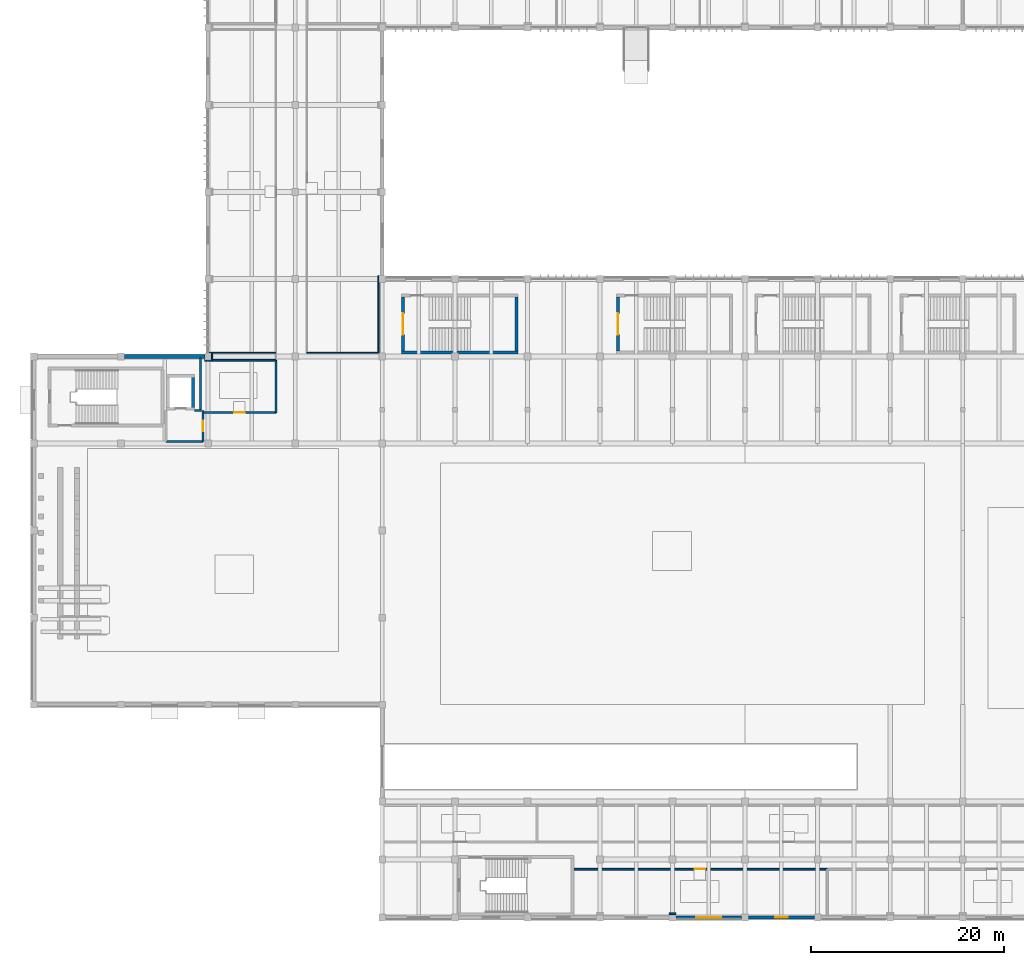
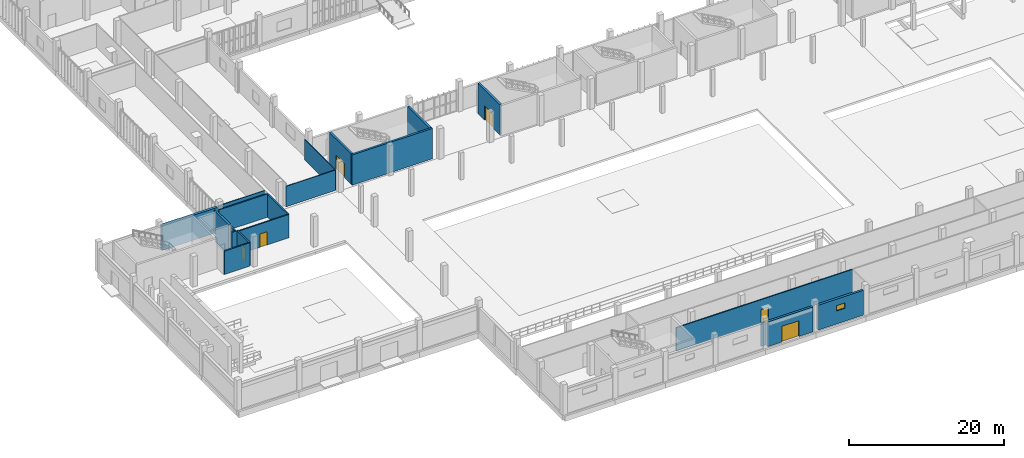
# One storey, part 43 of 72: 21 walls, 6 doors, 1 window, 7 openings.
"""IFC4 building model written with IfcOpenShell, lengths in metres."""

from ifc_helpers import new_model, si_unit, direction, frame, frame_2d, origin, place, context, subcontext, project, spatial, rectangle, extrude, material, layer, layer_set, type_object, element, fill, save


model = new_model("IFC4")

# Units and contexts
model_context = context("Model", 3, precision=1e-05, world=origin(), true_north=direction((0.0, 1.0)))
body_context = subcontext(model_context, "Body", "Model", "MODEL_VIEW")
ifc_project = project(units=[si_unit("LENGTHUNIT", "METRE"), si_unit("AREAUNIT", "SQUARE_METRE"), si_unit("VOLUMEUNIT", "CUBIC_METRE"), si_unit("PLANEANGLEUNIT", "RADIAN"), si_unit("MASSUNIT", "GRAM", prefix="KILO")], contexts=[model_context])

# Site, building, storey
site_placement = place(None, origin())
site = spatial("IfcSite", under=ifc_project, at=site_placement, CompositionType="ELEMENT")
building_placement = place(site_placement, origin())
building = spatial("IfcBuilding", under=site, at=building_placement, Name="Vourika Railside Aquatics Centre", CompositionType="ELEMENT")
storey_placement = place(building_placement, origin())
storey = spatial("IfcBuildingStorey", under=building, at=storey_placement, Name="L00", CompositionType="ELEMENT", Elevation=0.0)

# Wall
ifc_material_1 = material(Name="Concrete C40/50", Category="concrete")
ifc_layer_1 = layer(ifc_material_1, 0.300048828125, Name="WL-CORE")
ifc_layer_set_1 = layer_set([ifc_layer_1], Name="Concrete C40/50")
wall_type_1 = type_object("IfcWallType", Name="WL-CORE", PredefinedType="SHEAR", material=ifc_layer_set_1)
wall_1_placement = place(storey_placement, frame((38.0, 58.39990234375, 0.0), z_axis=(0.0, 0.0, 1.0), x_axis=(1.0, 0.0, 0.0)))
element("IfcWall", 1, at=wall_1_placement, inside=storey, type_object=wall_type_1, Name="Grandstand Vomitory Exit Stair ST07 South Wall (L00)", PredefinedType="SHEAR", context=body_context, shape_type="SweptSolid", body=[
    extrude(rectangle(XDim=12.0, YDim=0.300048828125, at=frame_2d((6.0, 0.0))), origin(), (0.0, 0.0, 1.0), 4.800048828125),
])

# Wall, opening, door
wall_2_placement = place(storey_placement, frame((38.14990234375, 64.14990234375, 0.0), z_axis=(0.0, 0.0, 1.0), x_axis=(0.0, -1.0, 0.0)))
wall_2 = element("IfcWall", 2, at=wall_2_placement, inside=storey, type_object=wall_type_1, Name="Grandstand Vomitory Exit Stair ST07 West Wall (L00)", PredefinedType="SHEAR", context=body_context, shape_type="SweptSolid", body=[
    extrude(rectangle(XDim=5.599853515625, YDim=0.300048828125, at=frame_2d((2.7998046875, 0.0))), origin(), (0.0, 0.0, 1.0), 4.800048828125),
])
opening_1_placement = place(wall_2_placement, frame((1.699951171875, 0.0, 0.0)))
opening_1 = element("IfcOpeningElement", 3, at=opening_1_placement, cuts=wall_2, Name="Opening DF04", PredefinedType="OPENING", context=body_context, shape_type="SweptSolid", body=[
    extrude(rectangle(XDim=2.199951171875, YDim=2.25, at=frame_2d((1.10009765625, 1.125))), frame((0.0, 0.16015625, 0.0), z_axis=(0.0, -1.0, 0.0), x_axis=(1.0, 0.0, 0.0)), (0.0, 0.0, 1.0), 0.320068359375),
])
ifc_material_2 = material(Name="Fire-rated vomitory concourse double door")
door_type_1 = type_object("IfcDoorType", Name="DR-FD60D-220", OperationType="DOUBLE_DOOR_SINGLE_SWING", PredefinedType="DOOR", material=ifc_material_2)
door_1_placement = place(opening_1_placement, origin())
door_1 = element("IfcDoor", 4, at=door_1_placement, inside=storey, type_object=door_type_1, Name="Grandstand Vomitory Exit Stair ST07 Vomitory Portal Door (L00)", OperationType="DOUBLE_DOOR_SINGLE_SWING", OverallHeight=2.25, OverallWidth=2.199951171875, PredefinedType="DOOR", context=body_context, shape_type="SweptSolid", body=[
    extrude(rectangle(XDim=2.199951171875, YDim=2.25, at=frame_2d((1.10009765625, 1.125))), frame((0.0, 0.02490234375, 0.0), z_axis=(0.0, -1.0, 0.0), x_axis=(1.0, 0.0, 0.0)), (0.0, 0.0, 1.0), 0.050048828125),
])
fill(opening_1, door_1)

# Wall
wall_3_placement = place(storey_placement, frame((49.85009765625, 58.550048828125, 0.0), z_axis=(0.0, 0.0, 1.0), x_axis=(0.0, 1.0, 0.0)))
element("IfcWall", 5, at=wall_3_placement, inside=storey, type_object=wall_type_1, Name="Grandstand Vomitory Exit Stair ST07 East Wall (L00)", PredefinedType="SHEAR", context=body_context, shape_type="SweptSolid", body=[
    extrude(rectangle(XDim=5.599853515625, YDim=0.300048828125, at=frame_2d((2.7998046875, 0.0))), origin(), (0.0, 0.0, 1.0), 4.800048828125),
])

# Wall, opening, door
wall_4_placement = place(storey_placement, frame((60.35009765625, 64.14990234375, 0.0), z_axis=(0.0, 0.0, 1.0), x_axis=(0.0, -1.0, 0.0)))
wall_4 = element("IfcWall", 6, at=wall_4_placement, inside=storey, type_object=wall_type_1, Name="Grandstand Vomitory Exit Stair ST08 West Wall (L00)", PredefinedType="SHEAR", context=body_context, shape_type="SweptSolid", body=[
    extrude(rectangle(XDim=5.599853515625, YDim=0.300048828125, at=frame_2d((2.7998046875, 0.0))), origin(), (0.0, 0.0, 1.0), 4.800048828125),
])
opening_2_placement = place(wall_4_placement, frame((1.699951171875, 0.0, 0.0)))
opening_2 = element("IfcOpeningElement", 7, at=opening_2_placement, cuts=wall_4, Name="Opening DF04", PredefinedType="OPENING", context=body_context, shape_type="SweptSolid", body=[
    extrude(rectangle(XDim=2.199951171875, YDim=2.25, at=frame_2d((1.10009765625, 1.125))), frame((0.0, 0.16015625, 0.0), z_axis=(0.0, -1.0, 0.0), x_axis=(1.0, 0.0, 0.0)), (0.0, 0.0, 1.0), 0.320068359375),
])
door_2_placement = place(opening_2_placement, origin())
door_2 = element("IfcDoor", 8, at=door_2_placement, inside=storey, type_object=door_type_1, Name="Grandstand Vomitory Exit Stair ST08 Vomitory Portal Door (L00)", OperationType="DOUBLE_DOOR_SINGLE_SWING", OverallHeight=2.25, OverallWidth=2.199951171875, PredefinedType="DOOR", context=body_context, shape_type="SweptSolid", body=[
    extrude(rectangle(XDim=2.199951171875, YDim=2.25, at=frame_2d((1.10009765625, 1.125))), frame((0.0, 0.02490234375, 0.0), z_axis=(0.0, -1.0, 0.0), x_axis=(1.0, 0.0, 0.0)), (0.0, 0.0, 1.0), 0.050048828125),
])
fill(opening_2, door_2)

# Wall
wall_5_placement = place(storey_placement, frame((16.449951171875, 52.60009765625, 0.0), z_axis=(0.0, 0.0, 1.0), x_axis=(0.0, 1.0, 0.0)))
element("IfcWall", 9, at=wall_5_placement, inside=storey, type_object=wall_type_1, Name="Lift LP02 Shaft East Wall (L00)", PredefinedType="SHEAR", context=body_context, shape_type="SweptSolid", body=[
    extrude(rectangle(XDim=3.39990234375, YDim=0.300048828125, at=frame_2d((1.699951171875, 0.0))), origin(), (0.0, 0.0, 1.0), 4.800048828125),
])

# Wall, opening, door
ifc_material_3 = material(Name="Precast concrete C40/50", Category="concrete")
ifc_layer_2 = layer(ifc_material_3, 0.340087890625, Name="WL-EXT-340")
ifc_layer_set_2 = layer_set([ifc_layer_2], Name="Precast concrete C40/50")
wall_type_2 = type_object("IfcWallType", Name="WL-EXT-340", PredefinedType="SOLIDWALL", material=ifc_layer_set_2)
wall_6_placement = place(storey_placement, frame((66.35009765625, 0.0, 0.0), z_axis=(0.0, 0.0, 1.0), x_axis=(1.0, 0.0, 0.0)))
wall_6 = element("IfcWall", 10, at=wall_6_placement, inside=storey, type_object=wall_type_2, Name="Changing Village South Precast Wall L00-5", PredefinedType="SOLIDWALL", context=body_context, shape_type="SweptSolid", body=[
    extrude(rectangle(XDim=6.7998046875, YDim=0.340087890625, at=frame_2d((3.39990234375, 0.0))), origin(), (0.0, 0.0, 1.0), 3.929931640625),
])
opening_3_placement = place(wall_6_placement, frame((2.10009765625, 0.0, 0.0)))
opening_3 = element("IfcOpeningElement", 11, at=opening_3_placement, cuts=wall_6, Name="Opening DE01", PredefinedType="OPENING", context=body_context, shape_type="SweptSolid", body=[
    extrude(rectangle(XDim=2.60009765625, YDim=2.5, at=frame_2d((1.300048828125, 1.25))), frame((0.0, 0.18017578125, 0.0), z_axis=(0.0, -1.0, 0.0), x_axis=(1.0, 0.0, 0.0)), (0.0, 0.0, 1.0), 0.360107421875),
])
ifc_material_4 = material(Name="Anodized aluminium", Category="aluminium")
door_type_2 = type_object("IfcDoorType", Name="DR-EXT-DBL260", OperationType="DOUBLE_DOOR_SINGLE_SWING", PredefinedType="DOOR", material=ifc_material_4)
door_3_placement = place(opening_3_placement, frame((2.60009765625, 0.0, 0.0), z_axis=(0.0, 0.0, 1.0), x_axis=(-1.0, 0.0, 0.0)))
door_3 = element("IfcDoor", 12, at=door_3_placement, inside=storey, type_object=door_type_2, Name="South Boulevard Athlete Exit Door 5", OperationType="DOUBLE_DOOR_SINGLE_SWING", OverallHeight=2.5, OverallWidth=2.60009765625, PredefinedType="DOOR", context=body_context, shape_type="SweptSolid", body=[
    extrude(rectangle(XDim=2.60009765625, YDim=2.5, at=frame_2d((1.300048828125, 1.25))), frame((0.0, 0.02490234375, 0.0), z_axis=(0.0, -1.0, 0.0), x_axis=(1.0, 0.0, 0.0)), (0.0, 0.0, 1.0), 0.050048828125),
])
fill(opening_3, door_3)

# Wall, opening, window
wall_7_placement = place(storey_placement, frame((73.85009765625, 0.0, 0.0), z_axis=(0.0, 0.0, 1.0), x_axis=(1.0, 0.0, 0.0)))
wall_7 = element("IfcWall", 13, at=wall_7_placement, inside=storey, type_object=wall_type_2, Name="Changing Village South Precast Wall L00-6", PredefinedType="SOLIDWALL", context=body_context, shape_type="SweptSolid", body=[
    extrude(rectangle(XDim=6.7998046875, YDim=0.340087890625, at=frame_2d((3.39990234375, 0.0))), origin(), (0.0, 0.0, 1.0), 3.929931640625),
])
opening_4_placement = place(wall_7_placement, frame((2.75, 0.0, 2.050048828125)))
opening_4 = element("IfcOpeningElement", 14, at=opening_4_placement, cuts=wall_7, Name="Opening W19", PredefinedType="OPENING", context=body_context, shape_type="SweptSolid", body=[
    extrude(rectangle(XDim=1.300048828125, YDim=0.85009765625, at=frame_2d((0.64990234375, 0.425048828125))), frame((0.0, 0.18017578125, 0.0), z_axis=(0.0, -1.0, 0.0), x_axis=(1.0, 0.0, 0.0)), (0.0, 0.0, 1.0), 0.360107421875),
])
ifc_material_5 = material(Name="Laminated solar-control glass", Category="glass")
window_type = type_object("IfcWindowType", Name="WN-CHG-130x085", PartitioningType="SINGLE_PANEL", PredefinedType="WINDOW", material=ifc_material_5)
window_placement = place(opening_4_placement, origin())
window = element("IfcWindow", 15, at=window_placement, inside=storey, type_object=window_type, Name="Changing High-Level Privacy Window L00-6", OverallHeight=0.85009765625, OverallWidth=1.300048828125, PartitioningType="SINGLE_PANEL", PredefinedType="WINDOW", context=body_context, shape_type="SweptSolid", body=[
    extrude(rectangle(XDim=1.300048828125, YDim=0.85009765625, at=frame_2d((0.64990234375, 0.425048828125))), frame((0.0, 0.030029296875, 0.0), z_axis=(0.0, -1.0, 0.0), x_axis=(1.0, 0.0, 0.0)), (0.0, 0.0, 1.0), 0.06005859375),
])
fill(opening_4, window)

# Walls
ifc_layer_3 = layer(ifc_material_3, 0.3798828125, Name="WL-EXT-380")
ifc_layer_set_3 = layer_set([ifc_layer_3], Name="Precast concrete C40/50")
wall_type_3 = type_object("IfcWallType", Name="WL-EXT-380", PredefinedType="SOLIDWALL", material=ifc_layer_set_3)
wall_8_placement = place(storey_placement, frame((17.64990234375, 58.0, 0.0), z_axis=(0.0, 0.0, 1.0), x_axis=(-1.0, 0.0, 0.0)))
element("IfcWall", 16, at=wall_8_placement, inside=storey, type_object=wall_type_3, Name="Diving Hall North Wall (L00-2)", PredefinedType="SOLIDWALL", context=body_context, shape_type="SweptSolid", body=[
    extrude(rectangle(XDim=8.2998046875, YDim=0.3798828125, at=frame_2d((4.14990234375, 0.0))), origin(), (0.0, 0.0, 1.0), 3.929931640625),
])
ifc_material_6 = material(Name="Concrete C35/45", Category="concrete")
ifc_layer_4 = layer(ifc_material_6, 0.219970703125, Name="WL-FIRE")
ifc_layer_set_4 = layer_set([ifc_layer_4], Name="Concrete C35/45")
wall_type_4 = type_object("IfcWallType", Name="WL-FIRE", PredefinedType="SOLIDWALL", material=ifc_layer_set_4)
wall_9_placement = place(storey_placement, frame((13.64990234375, 49.199951171875, 0.0), z_axis=(0.0, 0.0, 1.0), x_axis=(1.0, 0.0, 0.0)))
element("IfcWall", 17, at=wall_9_placement, inside=storey, type_object=wall_type_4, Name="Lift LP02 Lobby Corridor Fire Wall (L00)", PredefinedType="SOLIDWALL", context=body_context, shape_type="SweptSolid", body=[
    extrude(rectangle(XDim=3.800048828125, YDim=0.219970703125, at=frame_2d((1.89990234375, 0.0))), origin(), (0.0, 0.0, 1.0), 3.679931640625),
])

# Wall, opening, door
wall_10_placement = place(storey_placement, frame((17.449951171875, 49.199951171875, 0.0), z_axis=(0.0, 0.0, 1.0), x_axis=(0.0, 1.0, 0.0)))
wall_10 = element("IfcWall", 18, at=wall_10_placement, inside=storey, type_object=wall_type_4, Name="Lift LP02 Lobby East Fire Wall (L00)", PredefinedType="SOLIDWALL", context=body_context, shape_type="SweptSolid", body=[
    extrude(rectangle(XDim=3.199951171875, YDim=0.219970703125, at=frame_2d((1.60009765625, 0.0))), origin(), (0.0, 0.0, 1.0), 3.679931640625),
])
opening_5_placement = place(wall_10_placement, frame((1.050048828125, 0.0, 0.0)))
opening_5 = element("IfcOpeningElement", 19, at=opening_5_placement, cuts=wall_10, Name="Opening DF01", PredefinedType="OPENING", context=body_context, shape_type="SweptSolid", body=[
    extrude(rectangle(XDim=1.10009765625, YDim=2.14990234375, at=frame_2d((0.550048828125, 1.074951171875))), frame((0.0, 0.1201171875, 0.0), z_axis=(0.0, -1.0, 0.0), x_axis=(1.0, 0.0, 0.0)), (0.0, 0.0, 1.0), 0.239990234375),
])
ifc_material_7 = material(Name="Fire-rated steel and timber core door", Category="steel")
door_type_3 = type_object("IfcDoorType", Name="DR-FD60", OperationType="NOTDEFINED", PredefinedType="DOOR", material=ifc_material_7)
door_4_placement = place(opening_5_placement, origin())
door_4 = element("IfcDoor", 20, at=door_4_placement, inside=storey, type_object=door_type_3, Name="Lift LP02 Lobby Fire Door (L00)", OperationType="SINGLE_SWING_LEFT", OverallHeight=2.14990234375, OverallWidth=1.10009765625, PredefinedType="DOOR", context=body_context, shape_type="SweptSolid", body=[
    extrude(rectangle(XDim=1.10009765625, YDim=2.14990234375, at=frame_2d((0.550048828125, 1.074951171875))), frame((0.0, 0.02490234375, 0.0), z_axis=(0.0, -1.0, 0.0), x_axis=(1.0, 0.0, 0.0)), (0.0, 0.0, 1.0), 0.050048828125),
])
fill(opening_5, door_4)

# Walls
wall_11_placement = place(storey_placement, frame((16.60009765625, 52.39990234375, 0.0), z_axis=(0.0, 0.0, 1.0), x_axis=(1.0, 0.0, 0.0)))
element("IfcWall", 21, at=wall_11_placement, inside=storey, type_object=wall_type_4, Name="Lift LP02 Lobby North-East Closure Wall (L00)", PredefinedType="SOLIDWALL", context=body_context, shape_type="SweptSolid", body=[
    extrude(rectangle(XDim=0.72998046875, YDim=0.219970703125, at=frame_2d((0.364990234375, 0.0))), origin(), (0.0, 0.0, 1.0), 3.679931640625),
])
ifc_material_8 = material(Name="Lightweight drylining partition")
ifc_layer_5 = layer(ifc_material_8, 0.1201171875, Name="WL-PART-120")
ifc_layer_set_5 = layer_set([ifc_layer_5], Name="Lightweight drylining partition")
wall_type_5 = type_object("IfcWallType", Name="WL-PART-120", PredefinedType="PARTITIONING", material=ifc_layer_set_5)
wall_12_placement = place(storey_placement, frame((25.0, 58.39990234375, 0.0), z_axis=(0.0, 0.0, 1.0), x_axis=(-1.0, 0.0, 0.0)))
element("IfcWall", 22, at=wall_12_placement, inside=storey, type_object=wall_type_5, Name="Cryotherapy Recovery Hall Partition 3", PredefinedType="PARTITIONING", context=body_context, shape_type="SweptSolid", body=[
    extrude(rectangle(XDim=6.93798828125, YDim=0.1201171875, at=frame_2d((3.468994140625, 0.0))), origin(), (0.0, 0.0, 1.0), 3.679931640625),
])
wall_13_placement = place(storey_placement, frame((18.39990234375, 57.669921875, 0.0), z_axis=(0.0, 0.0, 1.0), x_axis=(0.0, 1.0, 0.0)))
element("IfcWall", 23, at=wall_13_placement, inside=storey, type_object=wall_type_5, Name="Cryotherapy Recovery Hall Partition 4", PredefinedType="PARTITIONING", context=body_context, shape_type="SweptSolid", body=[
    extrude(rectangle(XDim=0.7099609375, YDim=0.1201171875, at=frame_2d((0.35498046875, 0.0))), origin(), (0.0, 0.0, 1.0), 3.679931640625),
])
wall_14_placement = place(storey_placement, frame((35.60009765625, 66.35009765625, 0.0), z_axis=(0.0, 0.0, 1.0), x_axis=(0.0, -1.0, 0.0)))
element("IfcWall", 24, at=wall_14_placement, inside=storey, type_object=wall_type_5, Name="Community Club Reception Hall Partition 2", PredefinedType="PARTITIONING", context=body_context, shape_type="SweptSolid", body=[
    extrude(rectangle(XDim=7.9501953125, YDim=0.1201171875, at=frame_2d((3.97509765625, 0.0))), origin(), (0.0, 0.0, 1.0), 3.22509765625),
])
wall_15_placement = place(storey_placement, frame((35.60009765625, 58.39990234375, 0.0), z_axis=(0.0, 0.0, 1.0), x_axis=(-1.0, 0.0, 0.0)))
element("IfcWall", 25, at=wall_15_placement, inside=storey, type_object=wall_type_5, Name="Community Club Reception Hall Partition 4", PredefinedType="PARTITIONING", context=body_context, shape_type="SweptSolid", body=[
    extrude(rectangle(XDim=7.400146484375, YDim=0.1201171875, at=frame_2d((3.7001953125, 0.0))), origin(), (0.0, 0.0, 1.0), 3.22509765625),
])

# Wall, opening, door
ifc_material_9 = material(Name="Moisture-resistant wet-village blockwork", Category="masonry")
ifc_layer_6 = layer(ifc_material_9, 0.179931640625, Name="WL-PART-180")
ifc_layer_set_6 = layer_set([ifc_layer_6], Name="Moisture-resistant wet-village blockwork")
wall_type_6 = type_object("IfcWallType", Name="WL-PART-180", PredefinedType="PARTITIONING", material=ifc_layer_set_6)
wall_16_placement = place(storey_placement, frame((25.0, 52.199951171875, 0.0), z_axis=(0.0, 0.0, 1.0), x_axis=(-1.0, 0.0, 0.0)))
wall_16 = element("IfcWall", 26, at=wall_16_placement, inside=storey, type_object=wall_type_6, Name="Divers Warm-Up Spa and Poolside Medical Room Partition 1", PredefinedType="PARTITIONING", context=body_context, shape_type="SweptSolid", body=[
    extrude(rectangle(XDim=7.550048828125, YDim=0.179931640625, at=frame_2d((3.77490234375, 0.0))), origin(), (0.0, 0.0, 1.0), 3.679931640625),
])
opening_6_placement = place(wall_16_placement, frame((3.22509765625, 0.0, 0.0)))
opening_6 = element("IfcOpeningElement", 27, at=opening_6_placement, cuts=wall_16, Name="Opening DI02", PredefinedType="OPENING", context=body_context, shape_type="SweptSolid", body=[
    extrude(rectangle(XDim=1.10009765625, YDim=2.10009765625, at=frame_2d((0.550048828125, 1.050048828125))), frame((0.0, 0.10009765625, 0.0), z_axis=(0.0, -1.0, 0.0), x_axis=(1.0, 0.0, 0.0)), (0.0, 0.0, 1.0), 0.199951171875),
])
ifc_material_10 = material(Name="Accessible clinic and studio door")
door_type_4 = type_object("IfcDoorType", Name="DR-INT-1100", OperationType="NOTDEFINED", PredefinedType="DOOR", material=ifc_material_10)
door_5_placement = place(opening_6_placement, origin())
door_5 = element("IfcDoor", 28, at=door_5_placement, inside=storey, type_object=door_type_4, Name="Divers Warm-Up Spa and Poolside Medical Room Door", OperationType="SINGLE_SWING_LEFT", OverallHeight=2.10009765625, OverallWidth=1.10009765625, PredefinedType="DOOR", context=body_context, shape_type="SweptSolid", body=[
    extrude(rectangle(XDim=1.10009765625, YDim=2.10009765625, at=frame_2d((0.550048828125, 1.050048828125))), frame((0.0, 0.02490234375, 0.0), z_axis=(0.0, -1.0, 0.0), x_axis=(1.0, 0.0, 0.0)), (0.0, 0.0, 1.0), 0.050048828125),
])
fill(opening_6, door_5)

# Walls
wall_17_placement = place(storey_placement, frame((25.0, 57.60009765625, 0.0), z_axis=(0.0, 0.0, 1.0), x_axis=(0.0, -1.0, 0.0)))
element("IfcWall", 29, at=wall_17_placement, inside=storey, type_object=wall_type_6, Name="Divers Warm-Up Spa and Poolside Medical Room Partition 2", PredefinedType="PARTITIONING", context=body_context, shape_type="SweptSolid", body=[
    extrude(rectangle(XDim=5.400146484375, YDim=0.179931640625, at=frame_2d((2.7001953125, 0.0))), origin(), (0.0, 0.0, 1.0), 3.679931640625),
])
wall_18_placement = place(storey_placement, frame((17.199951171875, 52.39990234375, 0.0), z_axis=(0.0, 0.0, 1.0), x_axis=(0.0, 1.0, 0.0)))
element("IfcWall", 30, at=wall_18_placement, inside=storey, type_object=wall_type_6, Name="Divers Warm-Up Spa and Poolside Medical Room Partition 3", PredefinedType="PARTITIONING", context=body_context, shape_type="SweptSolid", body=[
    extrude(rectangle(XDim=5.43017578125, YDim=0.179931640625, at=frame_2d((2.715087890625, 0.0))), origin(), (0.0, 0.0, 1.0), 3.679931640625),
])
wall_19_placement = place(storey_placement, frame((17.64990234375, 57.60009765625, 0.0), z_axis=(0.0, 0.0, 1.0), x_axis=(1.0, 0.0, 0.0)))
element("IfcWall", 31, at=wall_19_placement, inside=storey, type_object=wall_type_6, Name="Divers Warm-Up Spa and Poolside Medical Room Partition 4", PredefinedType="PARTITIONING", context=body_context, shape_type="SweptSolid", body=[
    extrude(rectangle(XDim=7.35009765625, YDim=0.179931640625, at=frame_2d((3.675048828125, 0.0))), origin(), (0.0, 0.0, 1.0), 3.679931640625),
])

# Wall, opening, door
wall_20_placement = place(storey_placement, frame((55.639892578125, 5.0, 0.0), z_axis=(0.0, 0.0, 1.0), x_axis=(1.0, 0.0, 0.0)))
wall_20 = element("IfcWall", 32, at=wall_20_placement, inside=storey, type_object=wall_type_6, Name="Public Wet and Dry Changing Village West Partition 1", PredefinedType="PARTITIONING", context=body_context, shape_type="SweptSolid", body=[
    extrude(rectangle(XDim=26.360107421875, YDim=0.179931640625, at=frame_2d((13.18017578125, 0.0))), origin(), (0.0, 0.0, 1.0), 3.679931640625),
])
opening_7_placement = place(wall_20_placement, frame((12.6298828125, 0.0, 0.0)))
opening_7 = element("IfcOpeningElement", 33, at=opening_7_placement, cuts=wall_20, Name="Opening DI02", PredefinedType="OPENING", context=body_context, shape_type="SweptSolid", body=[
    extrude(rectangle(XDim=1.10009765625, YDim=2.10009765625, at=frame_2d((0.550048828125, 1.050048828125))), frame((0.0, 0.10009765625, 0.0), z_axis=(0.0, -1.0, 0.0), x_axis=(1.0, 0.0, 0.0)), (0.0, 0.0, 1.0), 0.199951171875),
])
door_6_placement = place(opening_7_placement, origin())
door_6 = element("IfcDoor", 34, at=door_6_placement, inside=storey, type_object=door_type_4, Name="Public Wet and Dry Changing Village West Door", OperationType="SINGLE_SWING_RIGHT", OverallHeight=2.10009765625, OverallWidth=1.10009765625, PredefinedType="DOOR", context=body_context, shape_type="SweptSolid", body=[
    extrude(rectangle(XDim=1.10009765625, YDim=2.10009765625, at=frame_2d((0.550048828125, 1.050048828125))), frame((0.0, 0.02490234375, 0.0), z_axis=(0.0, -1.0, 0.0), x_axis=(1.0, 0.0, 0.0)), (0.0, 0.0, 1.0), 0.050048828125),
])
fill(opening_7, door_6)

# Wall
wall_21_placement = place(storey_placement, frame((66.35009765625, 0.39990234375, 0.0), z_axis=(0.0, 0.0, 1.0), x_axis=(-1.0, 0.0, 0.0)))
element("IfcWall", 35, at=wall_21_placement, inside=storey, type_object=wall_type_6, Name="Public Wet and Dry Changing Village West Partition 4", PredefinedType="PARTITIONING", context=body_context, shape_type="SweptSolid", body=[
    extrude(rectangle(XDim=0.7001953125, YDim=0.179931640625, at=frame_2d((0.35009765625, 0.0))), origin(), (0.0, 0.0, 1.0), 3.679931640625),
])

save(model, "model.ifc")
